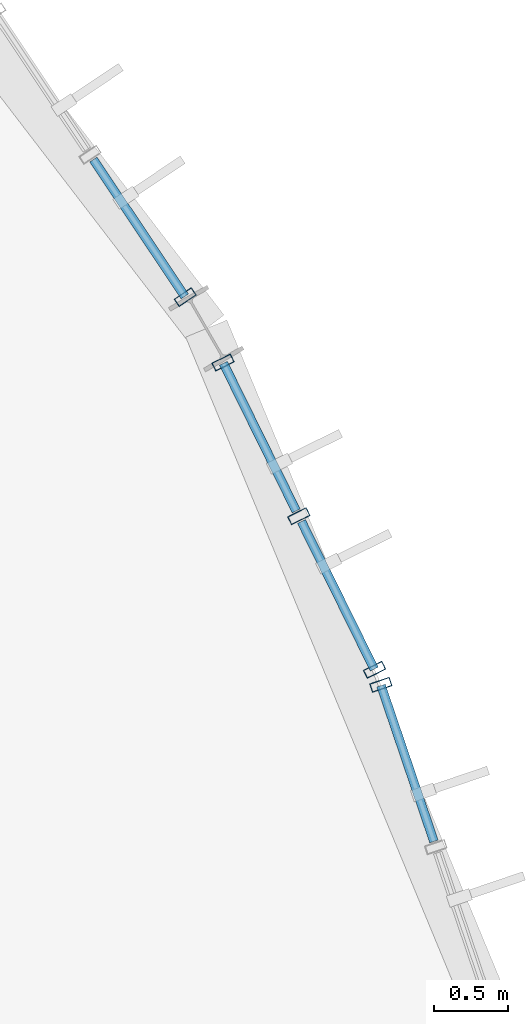
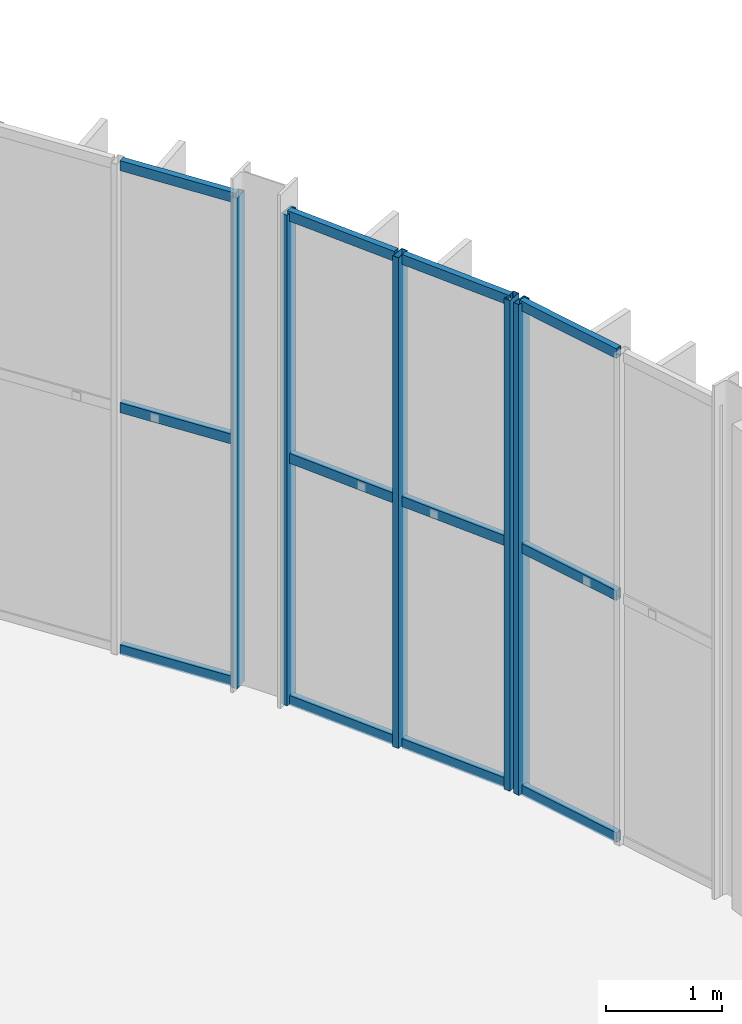
# One storey, part 71 of 158: 17 members, 3 elements without a shape of their own.
"""IFC4 building model written with IfcOpenShell, lengths in metres."""

from ifc_helpers import new_model, si_unit, derived_unit, direction, frame, origin, origin_2d, place, context, subcontext, project, spatial, hollow_rectangle, extrude, material, material_profile, profile_set, type_object, element, aggregate, save


model = new_model("IFC4")

# Units and contexts
model_context = context("Model", 3, precision=1e-05, world=origin(), true_north=direction((0.0, 1.0)))
body_context = subcontext(model_context, "Body", "Model", "MODEL_VIEW")
ifc_project = project(units=[si_unit("LENGTHUNIT", "METRE"), si_unit("AREAUNIT", "SQUARE_METRE"), si_unit("VOLUMEUNIT", "CUBIC_METRE"), si_unit("PLANEANGLEUNIT", "RADIAN"), si_unit("MASSUNIT", "GRAM", prefix="KILO"), si_unit("THERMODYNAMICTEMPERATUREUNIT", "KELVIN"), si_unit("TIMEUNIT", "SECOND"), derived_unit("THERMALTRANSMITTANCEUNIT", [(si_unit("MASSUNIT", "GRAM", prefix="KILO"), 1), (si_unit("THERMODYNAMICTEMPERATUREUNIT", "KELVIN"), -1), (si_unit("TIMEUNIT", "SECOND"), -3)])], contexts=[model_context])

# Site, building, storey
site_placement = place(None, origin())
site = spatial("IfcSite", under=ifc_project, at=site_placement, CompositionType="ELEMENT")
building_placement = place(site_placement, origin())
building = spatial("IfcBuilding", under=site, at=building_placement, Name="Cambertide Market Hall", CompositionType="ELEMENT")
storey_placement = place(building_placement, origin())
storey = spatial("IfcBuildingStorey", under=building, at=storey_placement, Name="L01", CompositionType="ELEMENT", Elevation=0.0)

# Curtain wall, member
ifc_material_1 = material(Name="Marine Anodized Aluminium 6063-T6 AA25", Category="aluminium")
curtain_wall_type = type_object("IfcCurtainWallType", Name="Lantern Apse Chord Lower Curtain Wall", PredefinedType="USERDEFINED", material=ifc_material_1)
curtain_wall_1_placement = place(storey_placement, origin())
curtain_wall_1 = element("IfcCurtainWall", 1, at=curtain_wall_1_placement, inside=storey, type_object=curtain_wall_type, Name="Level 1 Curtain Wall CW-V1AE-L01-15", ObjectType="UNITIZED CURTAIN WALL", PredefinedType="USERDEFINED")
ifc_material_2 = material(Name="Champagne Marine Anodized Aluminium 6063-T6 AA25", Category="aluminium")
ifc_material_profile_1 = material_profile(ifc_material_2, hollow_rectangle(XDim=0.06005859375, YDim=0.139892578125, WallThickness=0.00341796875, at=origin_2d()), Name="ALU MULLION 60x140")
ifc_profile_set_1 = profile_set([ifc_material_profile_1], Name="Champagne Marine Anodized Aluminium 6063-T6 AA25")
member_type_1 = type_object("IfcMemberType", Name="Curtain Wall Mullion ALU MULLION 60x140", PredefinedType="MULLION", material=ifc_profile_set_1)
member_1_placement = place(storey_placement, frame((123.495361328125, 79.6015625, 0.0), z_axis=(0.0, 0.0, 1.0), x_axis=(0.32143947831, -0.94693012508, 0.0)))
member_1 = element("IfcMember", 2, at=member_1_placement, type_object=member_type_1, Name="CW-V1AE-L01-15 Mullion 1", PredefinedType="MULLION", context=body_context, shape_type="SweptSolid", body=[
    extrude(hollow_rectangle(XDim=0.06005859375, YDim=0.139892578125, WallThickness=0.00341796875, at=origin_2d()), origin(), (0.0, 0.0, 1.0), 5.159912109375),
])

# Curtain wall, members
curtain_wall_2_placement = place(storey_placement, origin())
curtain_wall_2 = element("IfcCurtainWall", 3, at=curtain_wall_2_placement, inside=storey, type_object=curtain_wall_type, Name="Level 1 Curtain Wall CW-V1AE-L01-16", ObjectType="UNITIZED CURTAIN WALL", PredefinedType="USERDEFINED")
member_2_placement = place(storey_placement, frame((122.433349609375, 81.771240234375, 0.0), z_axis=(0.0, 0.0, 1.0), x_axis=(0.442288874522, -0.896872650645, 0.0)))
member_2 = element("IfcMember", 4, at=member_2_placement, type_object=member_type_1, Name="CW-V1AE-L01-16 Mullion 1", PredefinedType="MULLION", context=body_context, shape_type="SweptSolid", body=[
    extrude(hollow_rectangle(XDim=0.06005859375, YDim=0.139892578125, WallThickness=0.00341796875, at=origin_2d()), origin(), (0.0, 0.0, 1.0), 5.159912109375),
])
member_3_placement = place(storey_placement, frame((122.943359375, 80.737060546875, 0.0), z_axis=(0.0, 0.0, 1.0), x_axis=(0.442288874522, -0.896872650645, 0.0)))
member_3 = element("IfcMember", 5, at=member_3_placement, type_object=member_type_1, Name="CW-V1AE-L01-16 Mullion 2", PredefinedType="MULLION", context=body_context, shape_type="SweptSolid", body=[
    extrude(hollow_rectangle(XDim=0.06005859375, YDim=0.139892578125, WallThickness=0.00341796875, at=origin_2d()), origin(), (0.0, 0.0, 1.0), 5.159912109375),
])
member_4_placement = place(storey_placement, frame((123.453369140625, 79.702880859375, 0.0), z_axis=(0.0, 0.0, 1.0), x_axis=(0.442288874522, -0.896872650645, 0.0)))
member_4 = element("IfcMember", 6, at=member_4_placement, type_object=member_type_1, Name="CW-V1AE-L01-16 Mullion 3", PredefinedType="MULLION", context=body_context, shape_type="SweptSolid", body=[
    extrude(hollow_rectangle(XDim=0.06005859375, YDim=0.139892578125, WallThickness=0.00341796875, at=origin_2d()), origin(), (0.0, 0.0, 1.0), 5.159912109375),
])

# Curtain wall, member
curtain_wall_3_placement = place(storey_placement, origin())
curtain_wall_3 = element("IfcCurtainWall", 7, at=curtain_wall_3_placement, inside=storey, type_object=curtain_wall_type, Name="Level 1 Curtain Wall CW-V1AE-L01-17", ObjectType="UNITIZED CURTAIN WALL", PredefinedType="USERDEFINED")
member_5_placement = place(storey_placement, frame((122.178955078125, 82.2119140625, 0.0), z_axis=(0.0, 0.0, 1.0), x_axis=(0.555570087582, -0.831469709481, 0.0)))
member_5 = element("IfcMember", 8, at=member_5_placement, type_object=member_type_1, Name="CW-V1AE-L01-17 Mullion 3", PredefinedType="MULLION", context=body_context, shape_type="SweptSolid", body=[
    extrude(hollow_rectangle(XDim=0.06005859375, YDim=0.139892578125, WallThickness=0.00341796875, at=origin_2d()), origin(), (0.0, 0.0, 1.0), 5.159912109375),
])

# Member
ifc_material_3 = material(Name="Champagne Marine Anodized Aluminium 6063-T6 AA25", Category="aluminium")
ifc_material_profile_2 = material_profile(ifc_material_3, hollow_rectangle(XDim=0.06005859375, YDim=0.10498046875, WallThickness=0.0029296875, at=origin_2d()), Name="ALU TRANSOM 60x105")
ifc_profile_set_2 = profile_set([ifc_material_profile_2], Name="Champagne Marine Anodized Aluminium 6063-T6 AA25")
member_type_2 = type_object("IfcMemberType", Name="Curtain Wall Transom ALU TRANSOM 60x105", PredefinedType="USERDEFINED", material=ifc_profile_set_2)
member_6_placement = place(storey_placement, frame((123.496826171875, 79.596923828125, 0.034912109375), z_axis=(0.321444521782, -0.946928413037, 0.0), x_axis=(0.946928413037, 0.321444521782, 0.0)))
member_6 = element("IfcMember", 9, at=member_6_placement, type_object=member_type_2, Name="CW-V1AE-L01-15 Transom 1-1", ObjectType="TRANSOM", PredefinedType="USERDEFINED", context=body_context, shape_type="SweptSolid", body=[
    extrude(hollow_rectangle(XDim=0.06005859375, YDim=0.10498046875, WallThickness=0.0029296875, at=origin_2d()), origin(), (0.0, 0.0, 1.0), 1.108154296875),
])

member_7_placement = place(storey_placement, frame((123.496826171875, 79.596923828125, 2.580078125), z_axis=(0.321444521782, -0.946928413037, 0.0), x_axis=(0.946928413037, 0.321444521782, 0.0)))
member_7 = element("IfcMember", 10, at=member_7_placement, type_object=member_type_2, Name="CW-V1AE-L01-15 Transom 2-1", ObjectType="TRANSOM", PredefinedType="USERDEFINED", context=body_context, shape_type="SweptSolid", body=[
    extrude(hollow_rectangle(XDim=0.06005859375, YDim=0.10498046875, WallThickness=0.0029296875, at=origin_2d()), origin(), (0.0, 0.0, 1.0), 1.108154296875),
])

member_8_placement = place(storey_placement, frame((123.496826171875, 79.596923828125, 5.125), z_axis=(0.321444521782, -0.946928413037, 0.0), x_axis=(0.946928413037, 0.321444521782, 0.0)))
member_8 = element("IfcMember", 11, at=member_8_placement, type_object=member_type_2, Name="CW-V1AE-L01-15 Transom 3-1", ObjectType="TRANSOM", PredefinedType="USERDEFINED", context=body_context, shape_type="SweptSolid", body=[
    extrude(hollow_rectangle(XDim=0.06005859375, YDim=0.10498046875, WallThickness=0.0029296875, at=origin_2d()), origin(), (0.0, 0.0, 1.0), 1.108154296875),
])

aggregate(curtain_wall_1, [member_1, member_6, member_7, member_8])

member_9_placement = place(storey_placement, frame((122.435546875, 81.766845703125, 0.034912109375), z_axis=(0.442183235129, -0.896924738521, 0.0), x_axis=(0.896924738521, 0.442183235129, 0.0)))
member_9 = element("IfcMember", 12, at=member_9_placement, type_object=member_type_2, Name="CW-V1AE-L01-16 Transom 1-1", ObjectType="TRANSOM", PredefinedType="USERDEFINED", context=body_context, shape_type="SweptSolid", body=[
    extrude(hollow_rectangle(XDim=0.06005859375, YDim=0.10498046875, WallThickness=0.0029296875, at=origin_2d()), origin(), (0.0, 0.0, 1.0), 1.108154296875),
])

member_10_placement = place(storey_placement, frame((122.9609375, 80.701171875, 0.034912109375), z_axis=(0.44244786472, -0.896794227794, 0.0), x_axis=(0.896794227794, 0.44244786472, 0.0)))
member_10 = element("IfcMember", 13, at=member_10_placement, type_object=member_type_2, Name="CW-V1AE-L01-16 Transom 1-2", ObjectType="TRANSOM", PredefinedType="USERDEFINED", context=body_context, shape_type="SweptSolid", body=[
    extrude(hollow_rectangle(XDim=0.06005859375, YDim=0.10498046875, WallThickness=0.0029296875, at=origin_2d()), origin(), (0.0, 0.0, 1.0), 1.10791015625),
])

member_11_placement = place(storey_placement, frame((122.435546875, 81.766845703125, 2.580078125), z_axis=(0.442183235129, -0.896924738521, 0.0), x_axis=(0.896924738521, 0.442183235129, 0.0)))
member_11 = element("IfcMember", 14, at=member_11_placement, type_object=member_type_2, Name="CW-V1AE-L01-16 Transom 2-1", ObjectType="TRANSOM", PredefinedType="USERDEFINED", context=body_context, shape_type="SweptSolid", body=[
    extrude(hollow_rectangle(XDim=0.06005859375, YDim=0.10498046875, WallThickness=0.0029296875, at=origin_2d()), origin(), (0.0, 0.0, 1.0), 1.108154296875),
])

member_12_placement = place(storey_placement, frame((122.9609375, 80.701171875, 2.580078125), z_axis=(0.44244786472, -0.896794227794, 0.0), x_axis=(0.896794227794, 0.44244786472, 0.0)))
member_12 = element("IfcMember", 15, at=member_12_placement, type_object=member_type_2, Name="CW-V1AE-L01-16 Transom 2-2", ObjectType="TRANSOM", PredefinedType="USERDEFINED", context=body_context, shape_type="SweptSolid", body=[
    extrude(hollow_rectangle(XDim=0.06005859375, YDim=0.10498046875, WallThickness=0.0029296875, at=origin_2d()), origin(), (0.0, 0.0, 1.0), 1.10791015625),
])

member_13_placement = place(storey_placement, frame((122.435546875, 81.766845703125, 5.125), z_axis=(0.442183235129, -0.896924738521, 0.0), x_axis=(0.896924738521, 0.442183235129, 0.0)))
member_13 = element("IfcMember", 16, at=member_13_placement, type_object=member_type_2, Name="CW-V1AE-L01-16 Transom 3-1", ObjectType="TRANSOM", PredefinedType="USERDEFINED", context=body_context, shape_type="SweptSolid", body=[
    extrude(hollow_rectangle(XDim=0.06005859375, YDim=0.10498046875, WallThickness=0.0029296875, at=origin_2d()), origin(), (0.0, 0.0, 1.0), 1.108154296875),
])

member_14_placement = place(storey_placement, frame((122.9609375, 80.701171875, 5.125), z_axis=(0.44244786472, -0.896794227794, 0.0), x_axis=(0.896794227794, 0.44244786472, 0.0)))
member_14 = element("IfcMember", 17, at=member_14_placement, type_object=member_type_2, Name="CW-V1AE-L01-16 Transom 3-2", ObjectType="TRANSOM", PredefinedType="USERDEFINED", context=body_context, shape_type="SweptSolid", body=[
    extrude(hollow_rectangle(XDim=0.06005859375, YDim=0.10498046875, WallThickness=0.0029296875, at=origin_2d()), origin(), (0.0, 0.0, 1.0), 1.10791015625),
])

aggregate(curtain_wall_2, [member_2, member_3, member_4, member_9, member_10, member_11, member_12, member_13, member_14])

member_15_placement = place(storey_placement, frame((121.560546875, 83.137451171875, 0.034912109375), z_axis=(0.555462658685, -0.83154148111, 0.0), x_axis=(0.83154148111, 0.555462658685, 0.0)))
member_15 = element("IfcMember", 18, at=member_15_placement, type_object=member_type_2, Name="CW-V1AE-L01-17 Transom 1-2", ObjectType="TRANSOM", PredefinedType="USERDEFINED", context=body_context, shape_type="SweptSolid", body=[
    extrude(hollow_rectangle(XDim=0.06005859375, YDim=0.10498046875, WallThickness=0.0029296875, at=origin_2d()), origin(), (0.0, 0.0, 1.0), 1.108154296875),
])

member_16_placement = place(storey_placement, frame((121.560546875, 83.137451171875, 2.580078125), z_axis=(0.555462658685, -0.83154148111, 0.0), x_axis=(0.83154148111, 0.555462658685, 0.0)))
member_16 = element("IfcMember", 19, at=member_16_placement, type_object=member_type_2, Name="CW-V1AE-L01-17 Transom 2-2", ObjectType="TRANSOM", PredefinedType="USERDEFINED", context=body_context, shape_type="SweptSolid", body=[
    extrude(hollow_rectangle(XDim=0.06005859375, YDim=0.10498046875, WallThickness=0.0029296875, at=origin_2d()), origin(), (0.0, 0.0, 1.0), 1.108154296875),
])

member_17_placement = place(storey_placement, frame((121.560546875, 83.137451171875, 5.125), z_axis=(0.555462658685, -0.83154148111, 0.0), x_axis=(0.83154148111, 0.555462658685, 0.0)))
member_17 = element("IfcMember", 20, at=member_17_placement, type_object=member_type_2, Name="CW-V1AE-L01-17 Transom 3-2", ObjectType="TRANSOM", PredefinedType="USERDEFINED", context=body_context, shape_type="SweptSolid", body=[
    extrude(hollow_rectangle(XDim=0.06005859375, YDim=0.10498046875, WallThickness=0.0029296875, at=origin_2d()), origin(), (0.0, 0.0, 1.0), 1.108154296875),
])

aggregate(curtain_wall_3, [member_5, member_15, member_16, member_17])

save(model, "model.ifc")
